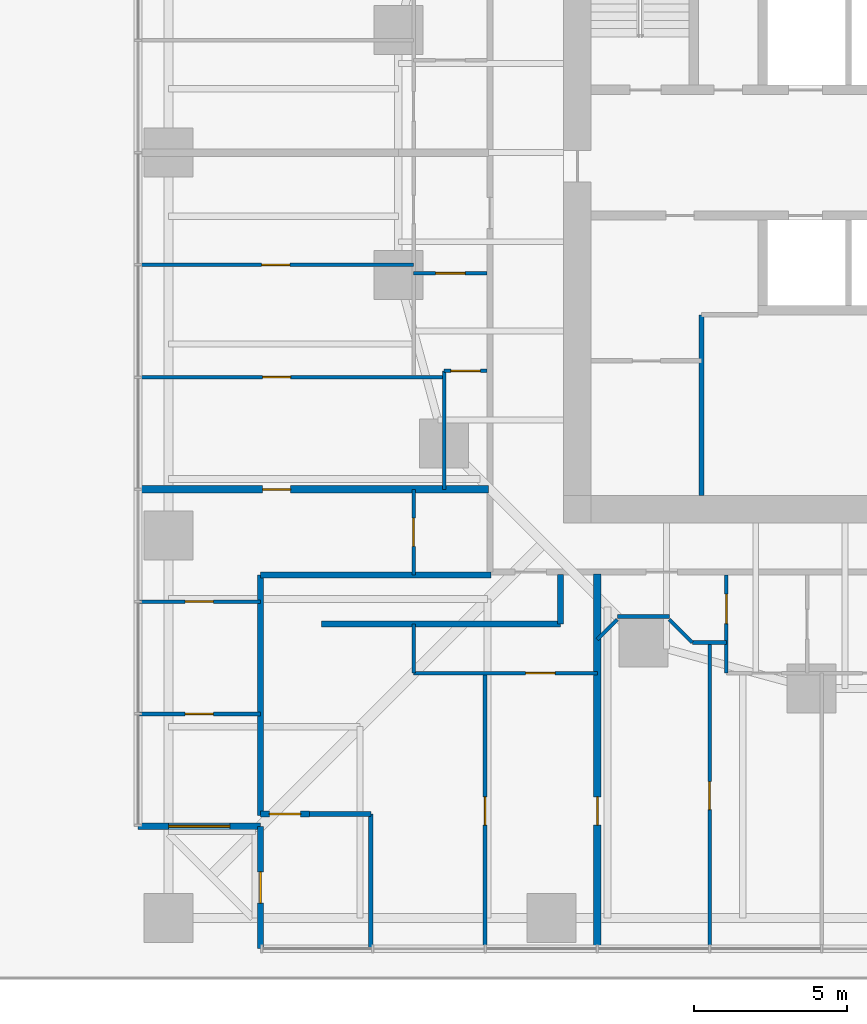
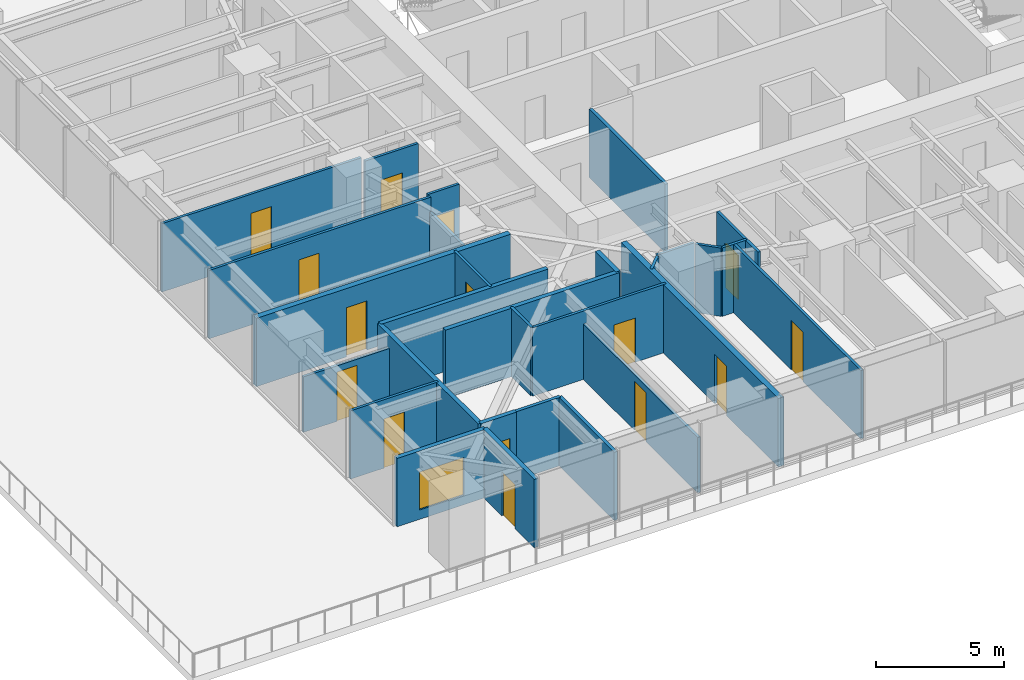
# One storey, part 7 of 15: 29 walls, 15 doors, 1 window, 16 openings.
"""IFC4 building model written with IfcOpenShell, lengths in metres."""

from ifc_helpers import new_model, si_unit, direction, frame, frame_2d, origin, place, context, subcontext, project, spatial, rectangle, extrude, material, layer, layer_set, type_object, element, fill, save


model = new_model("IFC4")

# Units and contexts
model_context = context("Model", 3, precision=1e-05, world=origin(), true_north=direction((0.0, 1.0)))
body_context = subcontext(model_context, "Body", "Model", "MODEL_VIEW")
ifc_project = project(units=[si_unit("LENGTHUNIT", "METRE"), si_unit("AREAUNIT", "SQUARE_METRE"), si_unit("VOLUMEUNIT", "CUBIC_METRE"), si_unit("PLANEANGLEUNIT", "RADIAN"), si_unit("MASSUNIT", "GRAM", prefix="KILO")], contexts=[model_context])

# Site, building, storey
site_placement = place(None, origin())
site = spatial("IfcSite", under=ifc_project, at=site_placement, CompositionType="ELEMENT")
building_placement = place(site_placement, origin())
building = spatial("IfcBuilding", under=site, at=building_placement, Name="Torsade Residences", CompositionType="ELEMENT")
storey_placement = place(building_placement, frame((0.0, 0.0, 15.0)))
storey = spatial("IfcBuildingStorey", under=building, at=storey_placement, Name="L03", CompositionType="ELEMENT", Elevation=15.0)

# Walls
ifc_material_1 = material(Name="Plasterboard on steel stud", Category="steel")
ifc_layer_1 = layer(ifc_material_1, 0.199951171875)
ifc_layer_set_1 = layer_set([ifc_layer_1], Name="Plasterboard on steel stud")
wall_type_1 = type_object("IfcWallType", Name="CORRIDOR WALL 200", PredefinedType="PARTITIONING", material=ifc_layer_set_1)
wall_1_placement = place(storey_placement, frame((25.52001953125, 16.199951171875, 0.0), z_axis=(0.0, 0.0, 1.0), x_axis=(-1.0, 0.0, 0.0)))
element("IfcWall", 1, at=wall_1_placement, inside=storey, type_object=wall_type_1, Name="Corridor wall L03", PredefinedType="PARTITIONING", context=body_context, shape_type="SweptSolid", body=[
    extrude(rectangle(XDim=7.52001953125, YDim=0.199951171875, at=frame_2d((3.760009765625, 0.0))), origin(), (0.0, 0.0, 1.0), 3.25),
])
wall_2_placement = place(storey_placement, frame((19.986083984375, 14.60009765625, 0.0), z_axis=(0.0, 0.0, 1.0), x_axis=(1.0, 0.0, 0.0)))
element("IfcWall", 2, at=wall_2_placement, inside=storey, type_object=wall_type_1, Name="Corridor wall L03", PredefinedType="PARTITIONING", context=body_context, shape_type="SweptSolid", body=[
    extrude(rectangle(XDim=7.81396484375, YDim=0.199951171875, at=frame_2d((3.906982421875, 0.0))), origin(), (0.0, 0.0, 1.0), 3.25),
])
wall_3_placement = place(storey_placement, frame((27.800048828125, 14.60009765625, 0.0), z_axis=(0.0, 0.0, 1.0), x_axis=(0.0, 1.0, 0.0)))
element("IfcWall", 3, at=wall_3_placement, inside=storey, type_object=wall_type_1, Name="Corridor wall L03", PredefinedType="PARTITIONING", context=body_context, shape_type="SweptSolid", body=[
    extrude(rectangle(XDim=1.619873046875, YDim=0.199951171875, at=frame_2d((0.81005859375, 0.0))), origin(), (0.0, 0.0, 1.0), 3.25),
])
wall_4_placement = place(storey_placement, frame((18.0, 16.199951171875, 0.0), z_axis=(0.0, 0.0, 1.0), x_axis=(0.0, -1.0, 0.0)))
element("IfcWall", 4, at=wall_4_placement, inside=storey, type_object=wall_type_1, Name="Corridor wall L03", PredefinedType="PARTITIONING", context=body_context, shape_type="SweptSolid", body=[
    extrude(rectangle(XDim=7.849853515625, YDim=0.199951171875, at=frame_2d((3.9248046875, 0.0))), origin(), (0.0, 0.0, 1.0), 3.25),
])

# Wall, opening, door
wall_5_placement = place(storey_placement, frame((19.60009765625, 8.39990234375, 0.0), z_axis=(0.0, 0.0, 1.0), x_axis=(-1.0, 0.0, 0.0)))
wall_5 = element("IfcWall", 5, at=wall_5_placement, inside=storey, type_object=wall_type_1, Name="Corridor wall L03", PredefinedType="PARTITIONING", context=body_context, shape_type="SweptSolid", body=[
    extrude(rectangle(XDim=1.60009765625, YDim=0.199951171875, at=frame_2d((0.800048828125, 0.0))), origin(), (0.0, 0.0, 1.0), 3.25),
])
opening_1_placement = place(wall_5_placement, frame((0.2900390625, 0.0, 0.0)))
opening_1 = element("IfcOpeningElement", 6, at=opening_1_placement, cuts=wall_5, Name="Opening D03", PredefinedType="OPENING", context=body_context, shape_type="SweptSolid", body=[
    extrude(rectangle(XDim=1.02001953125, YDim=2.10009765625, at=frame_2d((0.510009765625, 1.050048828125))), frame((0.0, 0.10986328125, 0.0), z_axis=(0.0, -1.0, 0.0), x_axis=(1.0, 0.0, 0.0)), (0.0, 0.0, 1.0), 0.219970703125),
])
ifc_material_2 = material(Name="Steel-framed fire door", Category="steel")
door_type_1 = type_object("IfcDoorType", Name="FIRE DOOR 1020", OperationType="NOTDEFINED", PredefinedType="DOOR", material=ifc_material_2)
door_1_placement = place(opening_1_placement, origin())
door_1 = element("IfcDoor", 7, at=door_1_placement, inside=storey, type_object=door_type_1, Name="Door Plant access corridor to Podium roof plant room", OperationType="SINGLE_SWING_LEFT", OverallHeight=2.10009765625, OverallWidth=1.02001953125, PredefinedType="DOOR", context=body_context, shape_type="SweptSolid", body=[
    extrude(rectangle(XDim=1.02001953125, YDim=2.10009765625, at=frame_2d((0.510009765625, 1.050048828125))), frame((0.0, 0.02490234375, 0.0), z_axis=(0.0, -1.0, 0.0), x_axis=(1.0, 0.0, 0.0)), (0.0, 0.0, 1.0), 0.050048828125),
])
fill(opening_1, door_1)

ifc_material_3 = material(Name="Plasterboard on steel stud", Category="steel")
ifc_layer_2 = layer(ifc_material_3, 0.1201171875)
ifc_layer_set_2 = layer_set([ifc_layer_2], Name="Plasterboard on steel stud")
wall_type_2 = type_object("IfcWallType", Name="PARTITION 120", PredefinedType="PARTITIONING", material=ifc_layer_set_2)
wall_6_placement = place(storey_placement, frame((25.39990234375, 26.0595703125, 0.0), z_axis=(0.0, 0.0, 1.0), x_axis=(-1.0, 0.0, 0.0)))
wall_6 = element("IfcWall", 8, at=wall_6_placement, inside=storey, type_object=wall_type_2, Name="Partition L03", PredefinedType="PARTITIONING", context=body_context, shape_type="SweptSolid", body=[
    extrude(rectangle(XDim=2.39990234375, YDim=0.1201171875, at=frame_2d((1.199951171875, 0.0))), origin(), (0.0, 0.0, 1.0), 3.25),
])
opening_2_placement = place(wall_6_placement, frame((0.719970703125, 0.0, 0.0)))
opening_2 = element("IfcOpeningElement", 9, at=opening_2_placement, cuts=wall_6, Name="Opening D05", PredefinedType="OPENING", context=body_context, shape_type="SweptSolid", body=[
    extrude(rectangle(XDim=0.9599609375, YDim=2.10009765625, at=frame_2d((0.47998046875, 1.050048828125))), frame((0.0, 0.070068359375, 0.0), z_axis=(0.0, -1.0, 0.0), x_axis=(1.0, 0.0, 0.0)), (0.0, 0.0, 1.0), 0.14013671875),
])
ifc_material_4 = material(Name="Hollow-core timber door in a steel cavity frame", Category="steel")
door_type_2 = type_object("IfcDoorType", Name="BATHROOM CAVITY SLIDING DOOR 960", OperationType="SLIDING_TO_LEFT", PredefinedType="DOOR", material=ifc_material_4)
door_2_placement = place(opening_2_placement, origin())
door_2 = element("IfcDoor", 10, at=door_2_placement, inside=storey, type_object=door_type_2, Name="Door Kitchen and dining to Ensuite", OperationType="SLIDING_TO_LEFT", OverallHeight=2.10009765625, OverallWidth=0.9599609375, PredefinedType="DOOR", context=body_context, shape_type="SweptSolid", body=[
    extrude(rectangle(XDim=0.9599609375, YDim=2.10009765625, at=frame_2d((0.47998046875, 1.050048828125))), frame((0.0, 0.02490234375, 0.0), z_axis=(0.0, -1.0, 0.0), x_axis=(1.0, 0.0, 0.0)), (0.0, 0.0, 1.0), 0.050048828125),
])
fill(opening_2, door_2)

# Wall
wall_7_placement = place(storey_placement, frame((24.0, 19.0, 0.0), z_axis=(0.0, 0.0, 1.0), x_axis=(0.0, 1.0, 0.0)))
element("IfcWall", 11, at=wall_7_placement, inside=storey, type_object=wall_type_2, Name="Partition L03", PredefinedType="PARTITIONING", context=body_context, shape_type="SweptSolid", body=[
    extrude(rectangle(XDim=3.871337890625, YDim=0.1201171875, at=frame_2d((1.935546875, 0.0))), origin(), (0.0, 0.0, 1.0), 2.549072265625),
])

# Wall, opening, door
wall_8_placement = place(storey_placement, frame((24.0, 22.871337890625, 0.0), z_axis=(0.0, 0.0, 1.0), x_axis=(1.0, 0.0, 0.0)))
wall_8 = element("IfcWall", 12, at=wall_8_placement, inside=storey, type_object=wall_type_2, Name="Partition L03", PredefinedType="PARTITIONING", context=body_context, shape_type="SweptSolid", body=[
    extrude(rectangle(XDim=1.39990234375, YDim=0.1201171875, at=frame_2d((0.699951171875, 0.0))), origin(), (0.0, 0.0, 1.0), 3.25),
])
opening_3_placement = place(wall_8_placement, frame((0.219970703125, 0.0, 0.0)))
opening_3 = element("IfcOpeningElement", 13, at=opening_3_placement, cuts=wall_8, Name="Opening D05", PredefinedType="OPENING", context=body_context, shape_type="SweptSolid", body=[
    extrude(rectangle(XDim=0.9599609375, YDim=2.10009765625, at=frame_2d((0.47998046875, 1.050048828125))), frame((0.0, 0.070068359375, 0.0), z_axis=(0.0, -1.0, 0.0), x_axis=(1.0, 0.0, 0.0)), (0.0, 0.0, 1.0), 0.14013671875),
])
door_3_placement = place(opening_3_placement, origin())
door_3 = element("IfcDoor", 14, at=door_3_placement, inside=storey, type_object=door_type_2, Name="Door Ensuite to Bathroom", OperationType="SLIDING_TO_LEFT", OverallHeight=2.10009765625, OverallWidth=0.9599609375, PredefinedType="DOOR", context=body_context, shape_type="SweptSolid", body=[
    extrude(rectangle(XDim=0.9599609375, YDim=2.10009765625, at=frame_2d((0.47998046875, 1.050048828125))), frame((0.0, 0.02490234375, 0.0), z_axis=(0.0, -1.0, 0.0), x_axis=(1.0, 0.0, 0.0)), (0.0, 0.0, 1.0), 0.050048828125),
])
fill(opening_3, door_3)

wall_9_placement = place(storey_placement, frame((24.0, 22.666748046875, 0.0), z_axis=(0.0, 0.0, 1.0), x_axis=(-1.0, 0.0, 0.0)))
wall_9 = element("IfcWall", 15, at=wall_9_placement, inside=storey, type_object=wall_type_2, Name="Partition L03", PredefinedType="PARTITIONING", context=body_context, shape_type="SweptSolid", body=[
    extrude(rectangle(XDim=9.9599609375, YDim=0.1201171875, at=frame_2d((4.97998046875, 0.0))), origin(), (0.0, 0.0, 1.0), 3.25),
])
opening_4_placement = place(wall_9_placement, frame((5.014892578125, 0.0, 0.0)))
opening_4 = element("IfcOpeningElement", 16, at=opening_4_placement, cuts=wall_9, Name="Opening D02", PredefinedType="OPENING", context=body_context, shape_type="SweptSolid", body=[
    extrude(rectangle(XDim=0.919921875, YDim=2.340087890625, at=frame_2d((0.4599609375, 1.169921875))), frame((0.0, 0.070068359375, 0.0), z_axis=(0.0, -1.0, 0.0), x_axis=(1.0, 0.0, 0.0)), (0.0, 0.0, 1.0), 0.14013671875),
])
ifc_material_5 = material(Name="Hollow-core timber door", Category="wood")
door_type_3 = type_object("IfcDoorType", Name="INTERNAL DOOR 920x2340", OperationType="NOTDEFINED", PredefinedType="DOOR", material=ifc_material_5)
door_4_placement = place(opening_4_placement, origin())
door_4 = element("IfcDoor", 17, at=door_4_placement, inside=storey, type_object=door_type_3, Name="Door Bedroom 2 to Bedroom 1", OperationType="SINGLE_SWING_LEFT", OverallHeight=2.340087890625, OverallWidth=0.919921875, PredefinedType="DOOR", context=body_context, shape_type="SweptSolid", body=[
    extrude(rectangle(XDim=0.919921875, YDim=2.340087890625, at=frame_2d((0.4599609375, 1.169921875))), frame((0.0, 0.02490234375, 0.0), z_axis=(0.0, -1.0, 0.0), x_axis=(1.0, 0.0, 0.0)), (0.0, 0.0, 1.0), 0.050048828125),
])
fill(opening_4, door_4)

wall_10_placement = place(storey_placement, frame((23.0, 26.333251953125, 0.0), z_axis=(0.0, 0.0, 1.0), x_axis=(-1.0, 0.0, 0.0)))
wall_10 = element("IfcWall", 18, at=wall_10_placement, inside=storey, type_object=wall_type_2, Name="Partition L03", PredefinedType="PARTITIONING", context=body_context, shape_type="SweptSolid", body=[
    extrude(rectangle(XDim=8.9599609375, YDim=0.1201171875, at=frame_2d((4.47998046875, 0.0))), origin(), (0.0, 0.0, 1.0), 3.25),
])
opening_5_placement = place(wall_10_placement, frame((4.0400390625, 0.0, 0.0)))
opening_5 = element("IfcOpeningElement", 19, at=opening_5_placement, cuts=wall_10, Name="Opening D02", PredefinedType="OPENING", context=body_context, shape_type="SweptSolid", body=[
    extrude(rectangle(XDim=0.919921875, YDim=2.340087890625, at=frame_2d((0.4599609375, 1.169921875))), frame((0.0, 0.070068359375, 0.0), z_axis=(0.0, -1.0, 0.0), x_axis=(1.0, 0.0, 0.0)), (0.0, 0.0, 1.0), 0.14013671875),
])
door_5_placement = place(opening_5_placement, origin())
door_5 = element("IfcDoor", 20, at=door_5_placement, inside=storey, type_object=door_type_3, Name="Door Living room to Bedroom 2", OperationType="SINGLE_SWING_LEFT", OverallHeight=2.340087890625, OverallWidth=0.919921875, PredefinedType="DOOR", context=body_context, shape_type="SweptSolid", body=[
    extrude(rectangle(XDim=0.919921875, YDim=2.340087890625, at=frame_2d((0.4599609375, 1.169921875))), frame((0.0, 0.02490234375, 0.0), z_axis=(0.0, -1.0, 0.0), x_axis=(1.0, 0.0, 0.0)), (0.0, 0.0, 1.0), 0.050048828125),
])
fill(opening_5, door_5)

wall_11_placement = place(storey_placement, frame((23.0, 16.199951171875, 0.0), z_axis=(0.0, 0.0, 1.0), x_axis=(0.0, 1.0, 0.0)))
wall_11 = element("IfcWall", 21, at=wall_11_placement, inside=storey, type_object=wall_type_2, Name="Partition L03", PredefinedType="PARTITIONING", context=body_context, shape_type="SweptSolid", body=[
    extrude(rectangle(XDim=2.800048828125, YDim=0.1201171875, at=frame_2d((1.39990234375, 0.0))), origin(), (0.0, 0.0, 1.0), 3.25),
])
opening_6_placement = place(wall_11_placement, frame((0.93994140625, 0.0, 0.0)))
opening_6 = element("IfcOpeningElement", 22, at=opening_6_placement, cuts=wall_11, Name="Opening D02", PredefinedType="OPENING", context=body_context, shape_type="SweptSolid", body=[
    extrude(rectangle(XDim=0.919921875, YDim=2.340087890625, at=frame_2d((0.4599609375, 1.169921875))), frame((0.0, 0.070068359375, 0.0), z_axis=(0.0, -1.0, 0.0), x_axis=(1.0, 0.0, 0.0)), (0.0, 0.0, 1.0), 0.14013671875),
])
door_6_placement = place(opening_6_placement, origin())
door_6 = element("IfcDoor", 23, at=door_6_placement, inside=storey, type_object=door_type_3, Name="Door Bedroom 1 2 to Dining room", OperationType="SINGLE_SWING_RIGHT", OverallHeight=2.340087890625, OverallWidth=0.919921875, PredefinedType="DOOR", context=body_context, shape_type="SweptSolid", body=[
    extrude(rectangle(XDim=0.919921875, YDim=2.340087890625, at=frame_2d((0.4599609375, 1.169921875))), frame((0.0, 0.02490234375, 0.0), z_axis=(0.0, -1.0, 0.0), x_axis=(1.0, 0.0, 0.0)), (0.0, 0.0, 1.0), 0.050048828125),
])
fill(opening_6, door_6)

wall_12_placement = place(storey_placement, frame((29.0, 13.0, 0.0), z_axis=(0.0, 0.0, 1.0), x_axis=(-1.0, 0.0, 0.0)))
wall_12 = element("IfcWall", 24, at=wall_12_placement, inside=storey, type_object=wall_type_2, Name="Partition L03", PredefinedType="PARTITIONING", context=body_context, shape_type="SweptSolid", body=[
    extrude(rectangle(XDim=6.0, YDim=0.1201171875, at=frame_2d((3.0, 0.0))), origin(), (0.0, 0.0, 1.0), 3.25),
])
opening_7_placement = place(wall_12_placement, frame((1.37841796875, 0.0, 0.0)))
opening_7 = element("IfcOpeningElement", 25, at=opening_7_placement, cuts=wall_12, Name="Opening D05", PredefinedType="OPENING", context=body_context, shape_type="SweptSolid", body=[
    extrude(rectangle(XDim=0.9599609375, YDim=2.10009765625, at=frame_2d((0.47998046875, 1.050048828125))), frame((0.0, 0.070068359375, 0.0), z_axis=(0.0, -1.0, 0.0), x_axis=(1.0, 0.0, 0.0)), (0.0, 0.0, 1.0), 0.14013671875),
])
door_7_placement = place(opening_7_placement, origin())
door_7 = element("IfcDoor", 26, at=door_7_placement, inside=storey, type_object=door_type_2, Name="Door Bedroom 2 2 to Bathroom 2", OperationType="SLIDING_TO_LEFT", OverallHeight=2.10009765625, OverallWidth=0.9599609375, PredefinedType="DOOR", context=body_context, shape_type="SweptSolid", body=[
    extrude(rectangle(XDim=0.9599609375, YDim=2.10009765625, at=frame_2d((0.47998046875, 1.050048828125))), frame((0.0, 0.02490234375, 0.0), z_axis=(0.0, -1.0, 0.0), x_axis=(1.0, 0.0, 0.0)), (0.0, 0.0, 1.0), 0.050048828125),
])
fill(opening_7, door_7)

# Wall
wall_13_placement = place(storey_placement, frame((23.0, 13.0, 0.0), z_axis=(0.0, 0.0, 1.0), x_axis=(0.0, 1.0, 0.0)))
element("IfcWall", 27, at=wall_13_placement, inside=storey, type_object=wall_type_2, Name="Partition L03", PredefinedType="PARTITIONING", context=body_context, shape_type="SweptSolid", body=[
    extrude(rectangle(XDim=1.60009765625, YDim=0.1201171875, at=frame_2d((0.800048828125, 0.0))), origin(), (0.0, 0.0, 1.0), 3.25),
])

# Wall, opening, door
wall_14_placement = place(storey_placement, frame((25.333251953125, 13.0, 0.0), z_axis=(0.0, 0.0, 1.0), x_axis=(0.0, -1.0, 0.0)))
wall_14 = element("IfcWall", 28, at=wall_14_placement, inside=storey, type_object=wall_type_2, Name="Partition L03", PredefinedType="PARTITIONING", context=body_context, shape_type="SweptSolid", body=[
    extrude(rectangle(XDim=8.9599609375, YDim=0.1201171875, at=frame_2d((4.47998046875, 0.0))), origin(), (0.0, 0.0, 1.0), 2.636962890625),
])
opening_8_placement = place(wall_14_placement, frame((4.0400390625, 0.0, 0.0)))
opening_8 = element("IfcOpeningElement", 29, at=opening_8_placement, cuts=wall_14, Name="Opening D02", PredefinedType="OPENING", context=body_context, shape_type="SweptSolid", body=[
    extrude(rectangle(XDim=0.919921875, YDim=2.340087890625, at=frame_2d((0.4599609375, 1.169921875))), frame((0.0, 0.070068359375, 0.0), z_axis=(0.0, -1.0, 0.0), x_axis=(1.0, 0.0, 0.0)), (0.0, 0.0, 1.0), 0.14013671875),
])
door_8_placement = place(opening_8_placement, origin())
door_8 = element("IfcDoor", 30, at=door_8_placement, inside=storey, type_object=door_type_3, Name="Door Bedroom 2 2 to Living room 2", OperationType="SINGLE_SWING_RIGHT", OverallHeight=2.340087890625, OverallWidth=0.919921875, PredefinedType="DOOR", context=body_context, shape_type="SweptSolid", body=[
    extrude(rectangle(XDim=0.919921875, YDim=2.340087890625, at=frame_2d((0.4599609375, 1.169921875))), frame((0.0, 0.02490234375, 0.0), z_axis=(0.0, -1.0, 0.0), x_axis=(1.0, 0.0, 0.0)), (0.0, 0.0, 1.0), 0.050048828125),
])
fill(opening_8, door_8)

wall_15_placement = place(storey_placement, frame((18.0, 15.333251953125, 0.0), z_axis=(0.0, 0.0, 1.0), x_axis=(-1.0, 0.0, 0.0)))
wall_15 = element("IfcWall", 31, at=wall_15_placement, inside=storey, type_object=wall_type_2, Name="Partition L03", PredefinedType="PARTITIONING", context=body_context, shape_type="SweptSolid", body=[
    extrude(rectangle(XDim=3.9599609375, YDim=0.1201171875, at=frame_2d((1.97998046875, 0.0))), origin(), (0.0, 0.0, 1.0), 2.636962890625),
])
opening_9_placement = place(wall_15_placement, frame((1.5400390625, 0.0, 0.0)))
opening_9 = element("IfcOpeningElement", 32, at=opening_9_placement, cuts=wall_15, Name="Opening D02", PredefinedType="OPENING", context=body_context, shape_type="SweptSolid", body=[
    extrude(rectangle(XDim=0.919921875, YDim=2.340087890625, at=frame_2d((0.4599609375, 1.169921875))), frame((0.0, 0.070068359375, 0.0), z_axis=(0.0, -1.0, 0.0), x_axis=(1.0, 0.0, 0.0)), (0.0, 0.0, 1.0), 0.14013671875),
])
door_9_placement = place(opening_9_placement, origin())
door_9 = element("IfcDoor", 33, at=door_9_placement, inside=storey, type_object=door_type_3, Name="Door Bedroom 1 2 to Family room", OperationType="SINGLE_SWING_LEFT", OverallHeight=2.340087890625, OverallWidth=0.919921875, PredefinedType="DOOR", context=body_context, shape_type="SweptSolid", body=[
    extrude(rectangle(XDim=0.919921875, YDim=2.340087890625, at=frame_2d((0.4599609375, 1.169921875))), frame((0.0, 0.02490234375, 0.0), z_axis=(0.0, -1.0, 0.0), x_axis=(1.0, 0.0, 0.0)), (0.0, 0.0, 1.0), 0.050048828125),
])
fill(opening_9, door_9)

wall_16_placement = place(storey_placement, frame((14.0400390625, 11.666748046875, 0.0), z_axis=(0.0, 0.0, 1.0), x_axis=(1.0, 0.0, 0.0)))
wall_16 = element("IfcWall", 34, at=wall_16_placement, inside=storey, type_object=wall_type_2, Name="Partition L03", PredefinedType="PARTITIONING", context=body_context, shape_type="SweptSolid", body=[
    extrude(rectangle(XDim=3.9599609375, YDim=0.1201171875, at=frame_2d((1.97998046875, 0.0))), origin(), (0.0, 0.0, 1.0), 3.25),
])
opening_10_placement = place(wall_16_placement, frame((1.5, 0.0, 0.0)))
opening_10 = element("IfcOpeningElement", 35, at=opening_10_placement, cuts=wall_16, Name="Opening D02", PredefinedType="OPENING", context=body_context, shape_type="SweptSolid", body=[
    extrude(rectangle(XDim=0.919921875, YDim=2.340087890625, at=frame_2d((0.4599609375, 1.169921875))), frame((0.0, 0.070068359375, 0.0), z_axis=(0.0, -1.0, 0.0), x_axis=(1.0, 0.0, 0.0)), (0.0, 0.0, 1.0), 0.14013671875),
])
door_10_placement = place(opening_10_placement, origin())
door_10 = element("IfcDoor", 36, at=door_10_placement, inside=storey, type_object=door_type_3, Name="Door Family room to Study", OperationType="SINGLE_SWING_RIGHT", OverallHeight=2.340087890625, OverallWidth=0.919921875, PredefinedType="DOOR", context=body_context, shape_type="SweptSolid", body=[
    extrude(rectangle(XDim=0.919921875, YDim=2.340087890625, at=frame_2d((0.4599609375, 1.169921875))), frame((0.0, 0.02490234375, 0.0), z_axis=(0.0, -1.0, 0.0), x_axis=(1.0, 0.0, 0.0)), (0.0, 0.0, 1.0), 0.050048828125),
])
fill(opening_10, door_10)

wall_17_placement = place(storey_placement, frame((33.21240234375, 16.199951171875, 0.0), z_axis=(0.0, 0.0, 1.0), x_axis=(0.0, -1.0, 0.0)))
wall_17 = element("IfcWall", 37, at=wall_17_placement, inside=storey, type_object=wall_type_2, Name="Partition L03", PredefinedType="PARTITIONING", context=body_context, shape_type="SweptSolid", body=[
    extrude(rectangle(XDim=3.199951171875, YDim=0.1201171875, at=frame_2d((1.60009765625, 0.0))), origin(), (0.0, 0.0, 1.0), 3.25),
])
opening_11_placement = place(wall_17_placement, frame((0.6201171875, 0.0, 0.0)))
opening_11 = element("IfcOpeningElement", 38, at=opening_11_placement, cuts=wall_17, Name="Opening D05", PredefinedType="OPENING", context=body_context, shape_type="SweptSolid", body=[
    extrude(rectangle(XDim=0.9599609375, YDim=2.10009765625, at=frame_2d((0.47998046875, 1.050048828125))), frame((0.0, 0.070068359375, 0.0), z_axis=(0.0, -1.0, 0.0), x_axis=(1.0, 0.0, 0.0)), (0.0, 0.0, 1.0), 0.14013671875),
])
door_11_placement = place(opening_11_placement, origin())
door_11 = element("IfcDoor", 39, at=door_11_placement, inside=storey, type_object=door_type_2, Name="Door Kitchen and dining to Ensuite", OperationType="SLIDING_TO_LEFT", OverallHeight=2.10009765625, OverallWidth=0.9599609375, PredefinedType="DOOR", context=body_context, shape_type="SweptSolid", body=[
    extrude(rectangle(XDim=0.9599609375, YDim=2.10009765625, at=frame_2d((0.47998046875, 1.050048828125))), frame((0.0, 0.02490234375, 0.0), z_axis=(0.0, -1.0, 0.0), x_axis=(1.0, 0.0, 0.0)), (0.0, 0.0, 1.0), 0.050048828125),
])
fill(opening_11, door_11)

# Walls
wall_18_placement = place(storey_placement, frame((33.21240234375, 14.0, 0.0), z_axis=(0.0, 0.0, 1.0), x_axis=(-1.0, 0.0, 0.0)))
element("IfcWall", 40, at=wall_18_placement, inside=storey, type_object=wall_type_2, Name="Partition L03", PredefinedType="PARTITIONING", context=body_context, shape_type="SweptSolid", body=[
    extrude(rectangle(XDim=1.1123046875, YDim=0.1201171875, at=frame_2d((0.55615234375, 0.0))), origin(), (0.0, 0.0, 1.0), 3.25),
])
wall_19_placement = place(storey_placement, frame((32.10009765625, 14.0, 0.0), z_axis=(0.0, 0.0, 1.0), x_axis=(-0.707106781187, 0.707106781187, 0.0)))
element("IfcWall", 41, at=wall_19_placement, inside=storey, type_object=wall_type_2, Name="Partition L03", PredefinedType="PARTITIONING", context=body_context, shape_type="SweptSolid", body=[
    extrude(rectangle(XDim=1.060546875, YDim=0.1201171875, at=frame_2d((0.5302734375, 0.0))), origin(), (0.0, 0.0, 1.0), 3.25),
])
wall_20_placement = place(storey_placement, frame((31.35009765625, 14.85009765625, 0.0), z_axis=(0.0, 0.0, 1.0), x_axis=(-1.0, 0.0, 0.0)))
element("IfcWall", 42, at=wall_20_placement, inside=storey, type_object=wall_type_2, Name="Partition L03", PredefinedType="PARTITIONING", context=body_context, shape_type="SweptSolid", body=[
    extrude(rectangle(XDim=1.7001953125, YDim=0.1201171875, at=frame_2d((0.85009765625, 0.0))), origin(), (0.0, 0.0, 1.0), 3.25),
])
wall_21_placement = place(storey_placement, frame((29.64990234375, 14.75, 0.0), z_axis=(0.0, 0.0, 1.0), x_axis=(-0.707106781187, -0.707106781187, 0.0)))
element("IfcWall", 43, at=wall_21_placement, inside=storey, type_object=wall_type_2, Name="Partition L03", PredefinedType="PARTITIONING", context=body_context, shape_type="SweptSolid", body=[
    extrude(rectangle(XDim=0.919189453125, YDim=0.1201171875, at=frame_2d((0.45947265625, 0.0))), origin(), (0.0, 0.0, 1.0), 3.25),
])

# Wall, opening, door
wall_22_placement = place(storey_placement, frame((32.666748046875, 14.0, 0.0), z_axis=(0.0, 0.0, 1.0), x_axis=(0.0, -1.0, 0.0)))
wall_22 = element("IfcWall", 44, at=wall_22_placement, inside=storey, type_object=wall_type_2, Name="Partition L03", PredefinedType="PARTITIONING", context=body_context, shape_type="SweptSolid", body=[
    extrude(rectangle(XDim=9.9599609375, YDim=0.1201171875, at=frame_2d((4.97998046875, 0.0))), origin(), (0.0, 0.0, 1.0), 3.25),
])
opening_12_placement = place(wall_22_placement, frame((4.5400390625, 0.0, 0.0)))
opening_12 = element("IfcOpeningElement", 45, at=opening_12_placement, cuts=wall_22, Name="Opening D02", PredefinedType="OPENING", context=body_context, shape_type="SweptSolid", body=[
    extrude(rectangle(XDim=0.919921875, YDim=2.340087890625, at=frame_2d((0.4599609375, 1.169921875))), frame((0.0, 0.070068359375, 0.0), z_axis=(0.0, -1.0, 0.0), x_axis=(1.0, 0.0, 0.0)), (0.0, 0.0, 1.0), 0.14013671875),
])
door_12_placement = place(opening_12_placement, origin())
door_12 = element("IfcDoor", 46, at=door_12_placement, inside=storey, type_object=door_type_3, Name="Door Bedroom 2 to Living room", OperationType="SINGLE_SWING_RIGHT", OverallHeight=2.340087890625, OverallWidth=0.919921875, PredefinedType="DOOR", context=body_context, shape_type="SweptSolid", body=[
    extrude(rectangle(XDim=0.919921875, YDim=2.340087890625, at=frame_2d((0.4599609375, 1.169921875))), frame((0.0, 0.02490234375, 0.0), z_axis=(0.0, -1.0, 0.0), x_axis=(1.0, 0.0, 0.0)), (0.0, 0.0, 1.0), 0.050048828125),
])
fill(opening_12, door_12)

ifc_material_6 = material(Name="Masonry-lined stud party wall", Category="masonry")
ifc_layer_3 = layer(ifc_material_6, 0.25)
ifc_layer_set_3 = layer_set([ifc_layer_3], Name="Masonry-lined stud party wall")
wall_type_3 = type_object("IfcWallType", Name="PARTY WALL 250", PredefinedType="PARTITIONING", material=ifc_layer_set_3)
wall_23_placement = place(storey_placement, frame((29.0, 4.0, 0.0), z_axis=(0.0, 0.0, 1.0), x_axis=(0.0, 1.0, 0.0)))
wall_23 = element("IfcWall", 47, at=wall_23_placement, inside=storey, type_object=wall_type_3, Name="Party wall L03", PredefinedType="PARTITIONING", context=body_context, shape_type="SweptSolid", body=[
    extrude(rectangle(XDim=12.239990234375, YDim=0.25, at=frame_2d((6.1201171875, 0.0))), origin(), (0.0, 0.0, 1.0), 3.25),
])
opening_13_placement = place(wall_23_placement, frame((4.0400390625, 0.0, 0.0)))
opening_13 = element("IfcOpeningElement", 48, at=opening_13_placement, cuts=wall_23, Name="Opening D02", PredefinedType="OPENING", context=body_context, shape_type="SweptSolid", body=[
    extrude(rectangle(XDim=0.919921875, YDim=2.340087890625, at=frame_2d((0.4599609375, 1.169921875))), frame((0.0, 0.135009765625, 0.0), z_axis=(0.0, -1.0, 0.0), x_axis=(1.0, 0.0, 0.0)), (0.0, 0.0, 1.0), 0.27001953125),
])
door_13_placement = place(opening_13_placement, origin())
door_13 = element("IfcDoor", 49, at=door_13_placement, inside=storey, type_object=door_type_3, Name="Door Living room to Bedroom 2 2", OperationType="SINGLE_SWING_LEFT", OverallHeight=2.340087890625, OverallWidth=0.919921875, PredefinedType="DOOR", context=body_context, shape_type="SweptSolid", body=[
    extrude(rectangle(XDim=0.919921875, YDim=2.340087890625, at=frame_2d((0.4599609375, 1.169921875))), frame((0.0, 0.02490234375, 0.0), z_axis=(0.0, -1.0, 0.0), x_axis=(1.0, 0.0, 0.0)), (0.0, 0.0, 1.0), 0.050048828125),
])
fill(opening_13, door_13)

wall_24_placement = place(storey_placement, frame((14.0, 19.0, 0.0), z_axis=(0.0, 0.0, 1.0), x_axis=(1.0, 0.0, 0.0)))
wall_24 = element("IfcWall", 50, at=wall_24_placement, inside=storey, type_object=wall_type_3, Name="Party wall L03", PredefinedType="PARTITIONING", context=body_context, shape_type="SweptSolid", body=[
    extrude(rectangle(XDim=11.43994140625, YDim=0.25, at=frame_2d((5.719970703125, 0.0))), origin(), (0.0, 0.0, 1.0), 3.25),
])
opening_14_placement = place(wall_24_placement, frame((4.06494140625, 0.0, 0.0)))
opening_14 = element("IfcOpeningElement", 51, at=opening_14_placement, cuts=wall_24, Name="Opening D02", PredefinedType="OPENING", context=body_context, shape_type="SweptSolid", body=[
    extrude(rectangle(XDim=0.919921875, YDim=2.340087890625, at=frame_2d((0.4599609375, 1.169921875))), frame((0.0, 0.135009765625, 0.0), z_axis=(0.0, -1.0, 0.0), x_axis=(1.0, 0.0, 0.0)), (0.0, 0.0, 1.0), 0.27001953125),
])
door_14_placement = place(opening_14_placement, origin())
door_14 = element("IfcDoor", 52, at=door_14_placement, inside=storey, type_object=door_type_3, Name="Door Bedroom 1 to Bedroom 1 2", OperationType="SINGLE_SWING_RIGHT", OverallHeight=2.340087890625, OverallWidth=0.919921875, PredefinedType="DOOR", context=body_context, shape_type="SweptSolid", body=[
    extrude(rectangle(XDim=0.919921875, YDim=2.340087890625, at=frame_2d((0.4599609375, 1.169921875))), frame((0.0, 0.02490234375, 0.0), z_axis=(0.0, -1.0, 0.0), x_axis=(1.0, 0.0, 0.0)), (0.0, 0.0, 1.0), 0.050048828125),
])
fill(opening_14, door_14)

ifc_material_7 = material(Name="Stone-faced precast concrete 40 MPa panel", Category="masonry")
ifc_layer_4 = layer(ifc_material_7, 0.199951171875)
ifc_layer_set_4 = layer_set([ifc_layer_4], Name="Stone-faced precast concrete 40 MPa panel")
wall_type_4 = type_object("IfcWallType", Name="PLANT ROOM EXTERNAL WALL 200", PredefinedType="SOLIDWALL", material=ifc_layer_set_4)
wall_25_placement = place(storey_placement, frame((18.0, 8.0, 0.0), z_axis=(0.0, 0.0, 1.0), x_axis=(0.0, -1.0, 0.0)))
wall_25 = element("IfcWall", 53, at=wall_25_placement, inside=storey, type_object=wall_type_4, Name="Plant room wall L03 12", PredefinedType="SOLIDWALL", context=body_context, shape_type="SweptSolid", body=[
    extrude(rectangle(XDim=4.0, YDim=0.199951171875, at=frame_2d((2.0, 0.0))), origin(), (0.0, 0.0, 1.0), 3.25),
])
opening_15_placement = place(wall_25_placement, frame((1.489990234375, 0.0, 0.0)))
opening_15 = element("IfcOpeningElement", 54, at=opening_15_placement, cuts=wall_25, Name="Opening D11", PredefinedType="OPENING", context=body_context, shape_type="SweptSolid", body=[
    extrude(rectangle(XDim=1.02001953125, YDim=2.10009765625, at=frame_2d((0.510009765625, 1.050048828125))), frame((0.0, 0.10986328125, 0.0), z_axis=(0.0, -1.0, 0.0), x_axis=(1.0, 0.0, 0.0)), (0.0, 0.0, 1.0), 0.219970703125),
])
ifc_material_8 = material(Name="Steel-framed external door", Category="steel")
door_type_4 = type_object("IfcDoorType", Name="MAINTENANCE ROOF DOOR 1020", OperationType="NOTDEFINED", PredefinedType="DOOR", material=ifc_material_8)
door_15_placement = place(opening_15_placement, origin())
door_15 = element("IfcDoor", 55, at=door_15_placement, inside=storey, type_object=door_type_4, Name="Maintenance roof door L03", OperationType="SINGLE_SWING_RIGHT", OverallHeight=2.10009765625, OverallWidth=1.02001953125, PredefinedType="DOOR", context=body_context, shape_type="SweptSolid", body=[
    extrude(rectangle(XDim=1.02001953125, YDim=2.10009765625, at=frame_2d((0.510009765625, 1.050048828125))), frame((0.0, 0.02490234375, 0.0), z_axis=(0.0, -1.0, 0.0), x_axis=(1.0, 0.0, 0.0)), (0.0, 0.0, 1.0), 0.050048828125),
])
fill(opening_15, door_15)

# Walls
ifc_material_9 = material(Name="Reinforced blockwork", Category="masonry")
ifc_layer_5 = layer(ifc_material_9, 0.14990234375)
ifc_layer_set_5 = layer_set([ifc_layer_5], Name="Reinforced blockwork")
wall_type_5 = type_object("IfcWallType", Name="SERVICE ROOM WALL 150", PredefinedType="SOLIDWALL", material=ifc_layer_set_5)
wall_26_placement = place(storey_placement, frame((32.39990234375, 18.800048828125, 0.0), z_axis=(0.0, 0.0, 1.0), x_axis=(0.0, 1.0, 0.0)))
element("IfcWall", 56, at=wall_26_placement, inside=storey, type_object=wall_type_5, Name="Service room wall L03", PredefinedType="SOLIDWALL", context=body_context, shape_type="SweptSolid", body=[
    extrude(rectangle(XDim=5.89990234375, YDim=0.14990234375, at=frame_2d((2.949951171875, 0.0))), origin(), (0.0, 0.0, 1.0), 3.25),
])
wall_27_placement = place(storey_placement, frame((21.60009765625, 4.0400390625, 0.0), z_axis=(0.0, 0.0, 1.0), x_axis=(0.0, 1.0, 0.0)))
element("IfcWall", 57, at=wall_27_placement, inside=storey, type_object=wall_type_5, Name="Service room wall L03", PredefinedType="SOLIDWALL", context=body_context, shape_type="SweptSolid", body=[
    extrude(rectangle(XDim=4.35986328125, YDim=0.14990234375, at=frame_2d((2.179931640625, 0.0))), origin(), (0.0, 0.0, 1.0), 3.25),
])
wall_28_placement = place(storey_placement, frame((21.60009765625, 8.39990234375, 0.0), z_axis=(0.0, 0.0, 1.0), x_axis=(-1.0, 0.0, 0.0)))
element("IfcWall", 58, at=wall_28_placement, inside=storey, type_object=wall_type_5, Name="Service room wall L03", PredefinedType="SOLIDWALL", context=body_context, shape_type="SweptSolid", body=[
    extrude(rectangle(XDim=2.0, YDim=0.14990234375, at=frame_2d((1.0, 0.0))), origin(), (0.0, 0.0, 1.0), 3.25),
])

# Wall, opening, window
ifc_material_10 = material(Name="Stone-faced precast concrete 40 MPa panel", Category="masonry")
ifc_layer_6 = layer(ifc_material_10, 0.199951171875)
ifc_layer_set_6 = layer_set([ifc_layer_6], Name="Stone-faced precast concrete 40 MPa panel")
wall_type_6 = type_object("IfcWallType", Name="TERRACE WALL 200", PredefinedType="SOLIDWALL", material=ifc_layer_set_6)
wall_29_placement = place(storey_placement, frame((14.0, 8.0, 0.0), z_axis=(0.0, 0.0, 1.0), x_axis=(1.0, 0.0, 0.0)))
wall_29 = element("IfcWall", 59, at=wall_29_placement, inside=storey, type_object=wall_type_6, Name="Terrace wall L03 11", PredefinedType="SOLIDWALL", context=body_context, shape_type="SweptSolid", body=[
    extrude(rectangle(XDim=4.0, YDim=0.199951171875, at=frame_2d((2.0, 0.0))), origin(), (0.0, 0.0, 1.0), 3.25),
])
opening_16_placement = place(wall_29_placement, frame((1.0, 0.0, 0.449951171875)))
opening_16 = element("IfcOpeningElement", 60, at=opening_16_placement, cuts=wall_29, Name="Opening W1B", PredefinedType="OPENING", context=body_context, shape_type="SweptSolid", body=[
    extrude(rectangle(XDim=2.0, YDim=1.800048828125, at=frame_2d((1.0, 0.89990234375))), frame((0.0, 0.10986328125, 0.0), z_axis=(0.0, -1.0, 0.0), x_axis=(1.0, 0.0, 0.0)), (0.0, 0.0, 1.0), 0.219970703125),
])
ifc_material_11 = material(Name="Aluminium-framed glass window", Category="aluminium")
window_type = type_object("IfcWindowType", Name="TERRACE WINDOW 2000x1800", PartitioningType="SINGLE_PANEL", PredefinedType="WINDOW", material=ifc_material_11)
window_placement = place(opening_16_placement, origin())
window = element("IfcWindow", 61, at=window_placement, inside=storey, type_object=window_type, Name="Terrace window L03 11", OverallHeight=1.800048828125, OverallWidth=2.0, PartitioningType="SINGLE_PANEL", PredefinedType="WINDOW", context=body_context, shape_type="SweptSolid", body=[
    extrude(rectangle(XDim=2.0, YDim=1.800048828125, at=frame_2d((1.0, 0.89990234375))), frame((0.0, 0.030029296875, 0.0), z_axis=(0.0, -1.0, 0.0), x_axis=(1.0, 0.0, 0.0)), (0.0, 0.0, 1.0), 0.06005859375),
])
fill(opening_16, window)

save(model, "model.ifc")
